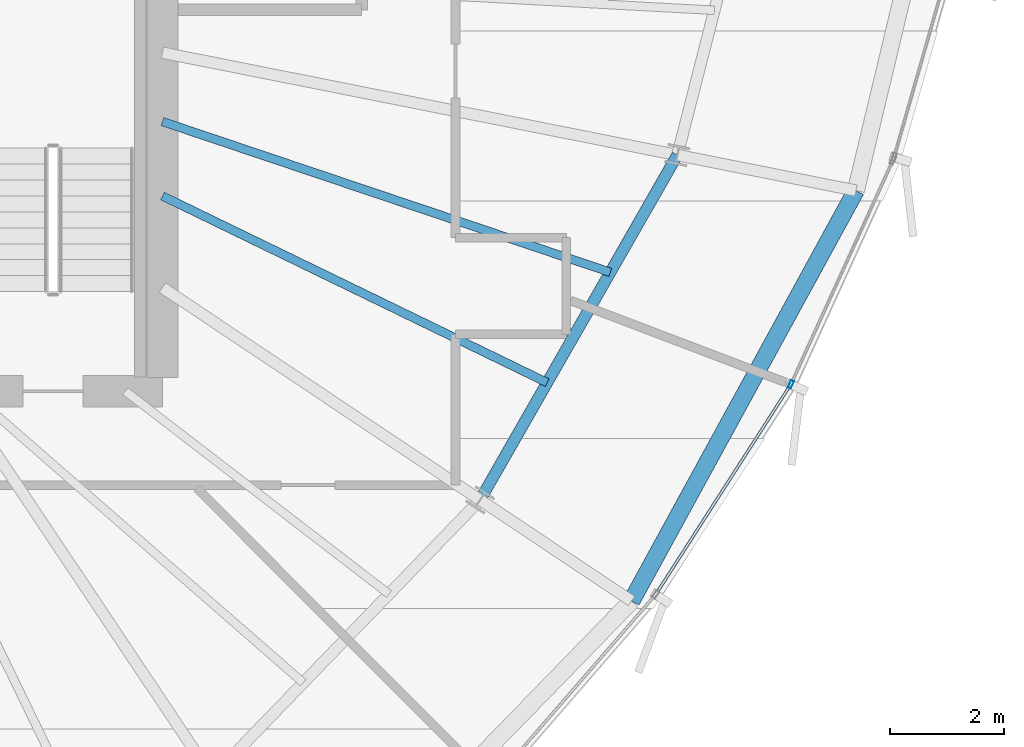
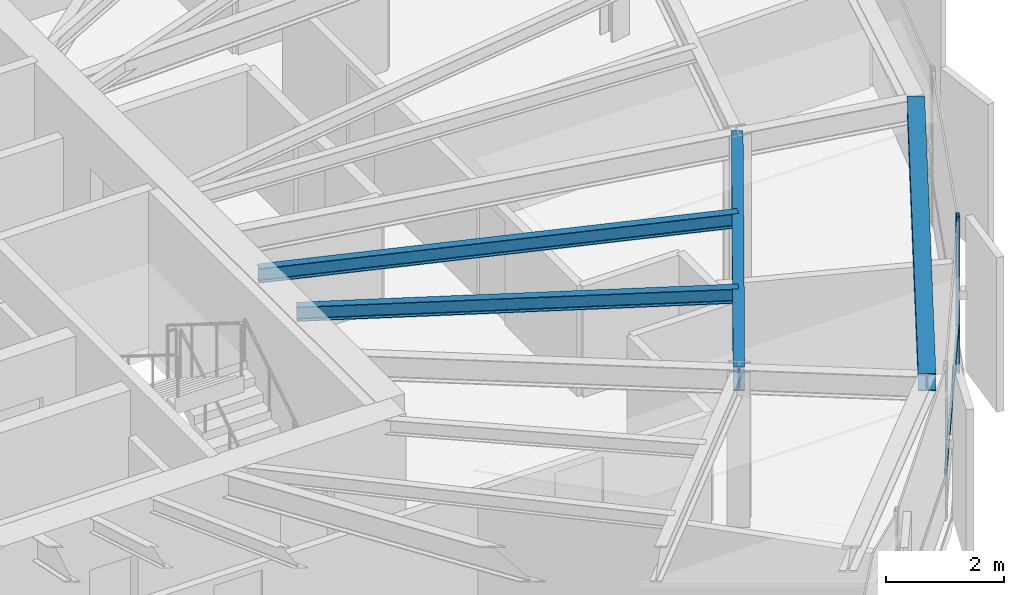
# One storey, part 13 of 34: 4 beams, 2 members, 1 element without a shape of its own.
"""IFC4 building model written with IfcOpenShell, lengths in metres."""

from ifc_helpers import new_model, si_unit, direction, frame, origin, origin_2d, place, context, subcontext, project, spatial, hollow_rectangle, i_section, extrude, source, transform, mapped, material, layer, layer_set, material_profile, profile_set, type_object, element, aggregate, save


model = new_model("IFC4")

# Units and contexts
model_context = context("Model", 3, precision=1e-05, world=origin(), true_north=direction((0.0, 1.0)))
body_context = subcontext(model_context, "Body", "Model", "MODEL_VIEW")
ifc_project = project(units=[si_unit("LENGTHUNIT", "METRE"), si_unit("AREAUNIT", "SQUARE_METRE"), si_unit("VOLUMEUNIT", "CUBIC_METRE"), si_unit("PLANEANGLEUNIT", "RADIAN"), si_unit("MASSUNIT", "GRAM", prefix="KILO"), si_unit("THERMODYNAMICTEMPERATUREUNIT", "KELVIN")], contexts=[model_context])

# Site, building, storey
site_placement = place(None, origin())
site = spatial("IfcSite", under=ifc_project, at=site_placement, CompositionType="ELEMENT")
building_placement = place(site_placement, origin())
building = spatial("IfcBuilding", under=site, at=building_placement, Name="Kethvar Cultural Tower", CompositionType="ELEMENT")
storey_placement = place(building_placement, frame((0.0, 0.0, 214.89990234375)))
storey = spatial("IfcBuildingStorey", under=building, at=storey_placement, Name="L56", CompositionType="ELEMENT", Elevation=214.89990234375)

# Beams
ifc_material_1 = material(Name="Steel S355J2", Category="steel")
ifc_material_profile_1 = material_profile(ifc_material_1, i_section(OverallWidth=0.199951171875, OverallDepth=0.5, WebThickness=0.01025390625, FlangeThickness=0.01611328125, FilletRadius=0.02099609375, at=origin_2d()), Name="Steel S355J2 — IPE500")
ifc_profile_set_1 = profile_set([ifc_material_profile_1], Name="Steel S355J2 — IPE500")
beam_type_1 = type_object("IfcBeamType", Name="BM-IPE500", PredefinedType="BEAM", material=ifc_profile_set_1)
shared_shape_1 = source(origin(), body_context, "Body", "SweptSolid", [
    extrude(i_section(OverallWidth=0.199951171875, OverallDepth=0.5, WebThickness=0.01025390625, FlangeThickness=0.01611328125, FilletRadius=0.02099609375, at=origin_2d()), origin(), (0.0, 0.0, 1.0), 6.98095703125),
])
beam_1_placement = place(storey_placement, frame((61.1826171875, 18.18994140625, 2.988037109375), z_axis=(0.496496686118, 0.868038617041, 0.0), x_axis=(-0.868038617041, 0.496496686118, 0.0)))
element("IfcBeam", 1, at=beam_1_placement, inside=storey, type_object=beam_type_1, Name="L56 Column Ring Tie Beam CR-15", PredefinedType="BEAM", context=body_context, shape_type="MappedRepresentation", body=[
    mapped(shared_shape_1, transform((0.0, 0.0, 0.0), scale=1.0)),
])
ifc_material_profile_2 = material_profile(ifc_material_1, i_section(OverallWidth=0.300048828125, OverallDepth=0.360107421875, WebThickness=0.012451171875, FlangeThickness=0.0224609375, FilletRadius=0.027099609375, at=origin_2d()), Name="Steel S355J2 — HEB360")
ifc_profile_set_2 = profile_set([ifc_material_profile_2], Name="Steel S355J2 — HEB360")
beam_type_2 = type_object("IfcBeamType", Name="BM-SP360", PredefinedType="SPANDREL", material=ifc_profile_set_2)
shared_shape_2 = source(origin(), body_context, "Body", "SweptSolid", [
    extrude(i_section(OverallWidth=0.300048828125, OverallDepth=0.360107421875, WebThickness=0.012451171875, FlangeThickness=0.0224609375, FilletRadius=0.027099609375, at=origin_2d()), origin(), (0.0, 0.0, 1.0), 8.22119140625),
])
beam_2_placement = place(storey_placement, frame((63.84326171875, 16.412109375, 3.05810546875), z_axis=(0.479721613821, 0.8774207504, 0.0), x_axis=(-0.8774207504, 0.479721613821, 0.0)))
element("IfcBeam", 2, at=beam_2_placement, inside=storey, type_object=beam_type_2, Name="L56 Perimeter Spandrel Beam SP-15", PredefinedType="SPANDREL", context=body_context, shape_type="MappedRepresentation", body=[
    mapped(shared_shape_2, transform((0.0, 0.0, 0.0), scale=1.0)),
])
ifc_material_profile_3 = material_profile(ifc_material_1, i_section(OverallWidth=0.14990234375, OverallDepth=0.300048828125, WebThickness=0.007080078125, FlangeThickness=0.0107421875, FilletRadius=0.014892578125, at=origin_2d()), Name="Steel S355J2 — IPE300")
ifc_profile_set_3 = profile_set([ifc_material_profile_3], Name="Steel S355J2 — IPE300")
beam_type_3 = type_object("IfcBeamType", Name="BM-J300", PredefinedType="JOIST", material=ifc_profile_set_3)
shared_shape_3 = source(origin(), body_context, "Body", "SweptSolid", [
    extrude(i_section(OverallWidth=0.14990234375, OverallDepth=0.300048828125, WebThickness=0.007080078125, FlangeThickness=0.0107421875, FilletRadius=0.014892578125, at=origin_2d()), origin(), (0.0, 0.0, 1.0), 7.5146484375),
])
beam_3_placement = place(storey_placement, frame((55.60009765625, 23.530517578125, 3.088134765625), z_axis=(0.899698132091, -0.436512624229, 0.0), x_axis=(0.436512624229, 0.899698132091, 0.0)))
element("IfcBeam", 3, at=beam_3_placement, inside=storey, type_object=beam_type_3, Name="L56 Composite Floor Joist J-15A", PredefinedType="JOIST", context=body_context, shape_type="MappedRepresentation", body=[
    mapped(shared_shape_3, transform((0.0, 0.0, 0.0), scale=1.0)),
])
shared_shape_4 = source(origin(), body_context, "Body", "SweptSolid", [
    extrude(i_section(OverallWidth=0.14990234375, OverallDepth=0.300048828125, WebThickness=0.007080078125, FlangeThickness=0.0107421875, FilletRadius=0.014892578125, at=origin_2d()), origin(), (0.0, 0.0, 1.0), 8.303955078125),
])
beam_4_placement = place(storey_placement, frame((55.60009765625, 24.838134765625, 3.088134765625), z_axis=(0.94776496661, -0.318969540971, 0.0), x_axis=(0.318969540971, 0.94776496661, 0.0)))
element("IfcBeam", 4, at=beam_4_placement, inside=storey, type_object=beam_type_3, Name="L56 Composite Floor Joist J-15B", PredefinedType="JOIST", context=body_context, shape_type="MappedRepresentation", body=[
    mapped(shared_shape_4, transform((0.0, 0.0, 0.0), scale=1.0)),
])

# Curtain wall, members
ifc_material_2 = material(Name="Aluminium 6063-T6", Category="aluminium")
ifc_layer = layer(ifc_material_2, 0.179931640625, Name="Aluminium 6063-T6", Category="aluminium")
ifc_layer_set = layer_set([ifc_layer], Name="Aluminium 6063-T6 (180 mm)")
curtain_wall_type = type_object("IfcCurtainWallType", Name="CW-SYS-04-Z34", PredefinedType="NOTDEFINED", material=ifc_layer_set)
curtain_wall_placement = place(storey_placement, origin())
curtain_wall = element("IfcCurtainWall", 5, at=curtain_wall_placement, inside=storey, type_object=curtain_wall_type, Name="L56 Curtain Wall Run 05", PredefinedType="NOTDEFINED")
ifc_material_profile_4 = material_profile(ifc_material_2, hollow_rectangle(XDim=0.06005859375, YDim=0.139892578125, WallThickness=0.0048828125, at=origin_2d()), Name="Aluminium 6063-T6 — RHS140x60x5")
ifc_profile_set_4 = profile_set([ifc_material_profile_4], Name="Aluminium 6063-T6 — RHS140x60x5")
member_type_1 = type_object("IfcMemberType", Name="CW-SYS-04-Z34-MUL", PredefinedType="MULLION", material=ifc_profile_set_4)
shared_shape_5 = source(origin(), body_context, "Body", "SweptSolid", [
    extrude(hollow_rectangle(XDim=0.06005859375, YDim=0.139892578125, WallThickness=0.0048828125, at=origin_2d()), origin(), (0.0, 0.0, 1.0), 3.239990234375),
])
member_1_placement = place(storey_placement, frame((66.64404296875, 20.219482421875, 0.0), z_axis=(0.0, 0.0, 1.0), x_axis=(-0.910069806128, 0.414455001144, 0.0)))
member_1 = element("IfcMember", 6, at=member_1_placement, type_object=member_type_1, Name="CW-L56-R05 Mullion 6", PredefinedType="MULLION", context=body_context, shape_type="MappedRepresentation", body=[
    mapped(shared_shape_5, transform((0.0, 0.0, 0.0), scale=1.0)),
])
ifc_material_profile_5 = material_profile(ifc_material_2, hollow_rectangle(XDim=0.050048828125, YDim=0.10009765625, WallThickness=0.00390625, at=origin_2d()), Name="Aluminium 6063-T6 — RHS100x50x4")
ifc_profile_set_5 = profile_set([ifc_material_profile_5], Name="Aluminium 6063-T6 — RHS100x50x4")
member_type_2 = type_object("IfcMemberType", Name="CW-SYS-04-Z34-TRN", PredefinedType="USERDEFINED", material=ifc_profile_set_5)
shared_shape_6 = source(origin(), body_context, "Body", "SweptSolid", [
    extrude(hollow_rectangle(XDim=0.050048828125, YDim=0.10009765625, WallThickness=0.00390625, at=origin_2d()), origin(), (0.0, 0.0, 1.0), 4.31982421875),
])
member_2_placement = place(storey_placement, frame((64.292236328125, 16.5634765625, 0.9501953125), z_axis=(0.5408118629, 0.841143584025, 0.0), x_axis=(-0.841143584025, 0.5408118629, 0.0)))
member_2 = element("IfcMember", 7, at=member_2_placement, type_object=member_type_2, Name="CW-L56-R05 Transom 5", ObjectType="TRANSOM", PredefinedType="USERDEFINED", context=body_context, shape_type="MappedRepresentation", body=[
    mapped(shared_shape_6, transform((0.0, 0.0, 0.0), scale=1.0)),
])
aggregate(curtain_wall, [member_1, member_2])

save(model, "model.ifc")
